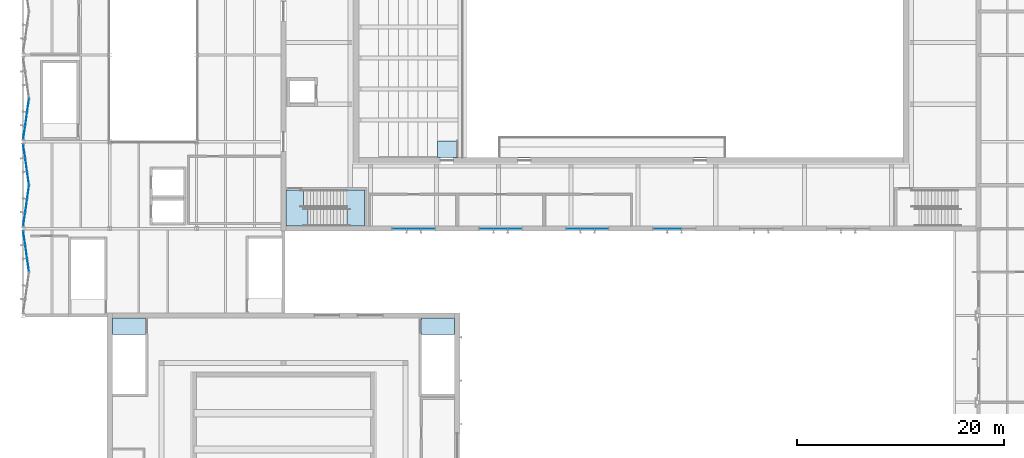
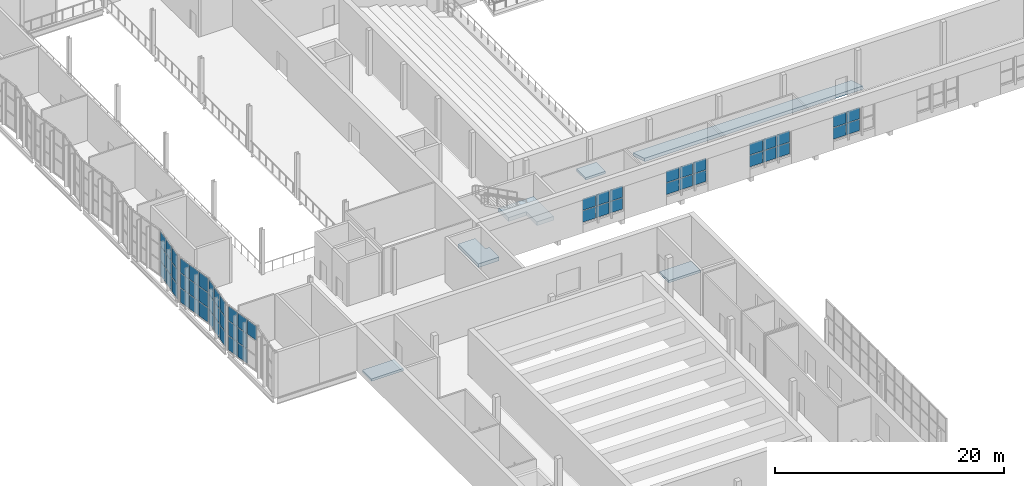
# One storey, part 57 of 116: 56 plates, 6 slabs, 9 elements without a shape of their own.
"""IFC4 building model written with IfcOpenShell, lengths in metres."""

from ifc_helpers import new_model, si_unit, direction, frame, origin, origin_2d, place, context, subcontext, project, spatial, polyline, rectangle, outline, extrude, material, layer, layer_set, type_object, element, aggregate, save


model = new_model("IFC4")

# Units and contexts
model_context = context("Model", 3, precision=1e-05, world=origin(), true_north=direction((0.0, 1.0)))
body_context = subcontext(model_context, "Body", "Model", "MODEL_VIEW")
ifc_project = project(units=[si_unit("LENGTHUNIT", "METRE"), si_unit("AREAUNIT", "SQUARE_METRE"), si_unit("VOLUMEUNIT", "CUBIC_METRE"), si_unit("PLANEANGLEUNIT", "RADIAN"), si_unit("MASSUNIT", "GRAM", prefix="KILO")], contexts=[model_context])

# Site, building, storey
site_placement = place(None, origin())
site = spatial("IfcSite", under=ifc_project, at=site_placement, CompositionType="ELEMENT")
building_placement = place(site_placement, origin())
building = spatial("IfcBuilding", under=site, at=building_placement, Name="Ljudholm Concert House", CompositionType="ELEMENT")
storey_placement = place(building_placement, frame((0.0, 0.0, 10.199951171875)))
storey = spatial("IfcBuildingStorey", under=building, at=storey_placement, Name="L02", CompositionType="ELEMENT", Elevation=10.199951171875)

# Curtain wall, plates
ifc_material_1 = material(Name="Aluminium curtain wall with impact-rated laminated glass", Category="aluminium")
curtain_wall_type = type_object("IfcCurtainWallType", Name="CURTAIN WALL 1400", PredefinedType="NOTDEFINED", material=ifc_material_1)
curtain_wall_1_placement = place(storey_placement, origin())
curtain_wall_1 = element("IfcCurtainWall", 1, at=curtain_wall_1_placement, inside=storey, type_object=curtain_wall_type, Name="Promenade curtain wall", PredefinedType="NOTDEFINED")
ifc_material_2 = material(Name="Impact-rated laminated glass", Category="glass")
ifc_layer_1 = layer(ifc_material_2, 0.028076171875)
ifc_layer_set_1 = layer_set([ifc_layer_1], Name="Impact-rated laminated glass")
plate_type = type_object("IfcPlateType", Name="CURTAIN PANEL 28", PredefinedType="CURTAIN_PANEL", material=ifc_layer_set_1)
plate_1_placement = place(storey_placement, frame((40.43505859375, 54.39990234375, 0.9599609375), z_axis=(0.0, 0.0, 1.0), x_axis=(1.0, 0.0, 0.0)))
plate_1 = element("IfcPlate", 2, at=plate_1_placement, type_object=plate_type, Name="Curtain wall panel", PredefinedType="CURTAIN_PANEL", context=body_context, shape_type="SweptSolid", body=[
    extrude(rectangle(XDim=1.2900390625, YDim=0.028076171875, at=origin_2d()), origin(), (0.0, 0.0, 1.0), 1.2099609375),
])
plate_2_placement = place(storey_placement, frame((40.43505859375, 54.39990234375, 2.22998046875), z_axis=(0.0, 0.0, 1.0), x_axis=(1.0, 0.0, 0.0)))
plate_2 = element("IfcPlate", 3, at=plate_2_placement, type_object=plate_type, Name="Curtain wall panel", PredefinedType="CURTAIN_PANEL", context=body_context, shape_type="SweptSolid", body=[
    extrude(rectangle(XDim=1.2900390625, YDim=0.028076171875, at=origin_2d()), origin(), (0.0, 0.0, 1.0), 1.2099609375),
])
plate_3_placement = place(storey_placement, frame((41.800048828125, 54.39990234375, 0.9599609375), z_axis=(0.0, 0.0, 1.0), x_axis=(1.0, 0.0, 0.0)))
plate_3 = element("IfcPlate", 4, at=plate_3_placement, type_object=plate_type, Name="Curtain wall panel", PredefinedType="CURTAIN_PANEL", context=body_context, shape_type="SweptSolid", body=[
    extrude(rectangle(XDim=1.320068359375, YDim=0.028076171875, at=origin_2d()), origin(), (0.0, 0.0, 1.0), 1.2099609375),
])
plate_4_placement = place(storey_placement, frame((41.800048828125, 54.39990234375, 2.22998046875), z_axis=(0.0, 0.0, 1.0), x_axis=(1.0, 0.0, 0.0)))
plate_4 = element("IfcPlate", 5, at=plate_4_placement, type_object=plate_type, Name="Curtain wall panel", PredefinedType="CURTAIN_PANEL", context=body_context, shape_type="SweptSolid", body=[
    extrude(rectangle(XDim=1.320068359375, YDim=0.028076171875, at=origin_2d()), origin(), (0.0, 0.0, 1.0), 1.2099609375),
])
plate_5_placement = place(storey_placement, frame((43.1650390625, 54.39990234375, 0.9599609375), z_axis=(0.0, 0.0, 1.0), x_axis=(1.0, 0.0, 0.0)))
plate_5 = element("IfcPlate", 6, at=plate_5_placement, type_object=plate_type, Name="Curtain wall panel", PredefinedType="CURTAIN_PANEL", context=body_context, shape_type="SweptSolid", body=[
    extrude(rectangle(XDim=1.2900390625, YDim=0.028076171875, at=origin_2d()), origin(), (0.0, 0.0, 1.0), 1.2099609375),
])
plate_6_placement = place(storey_placement, frame((43.1650390625, 54.39990234375, 2.22998046875), z_axis=(0.0, 0.0, 1.0), x_axis=(1.0, 0.0, 0.0)))
plate_6 = element("IfcPlate", 7, at=plate_6_placement, type_object=plate_type, Name="Curtain wall panel", PredefinedType="CURTAIN_PANEL", context=body_context, shape_type="SweptSolid", body=[
    extrude(rectangle(XDim=1.2900390625, YDim=0.028076171875, at=origin_2d()), origin(), (0.0, 0.0, 1.0), 1.2099609375),
])
aggregate(curtain_wall_1, [plate_1, plate_2, plate_3, plate_4, plate_5, plate_6])

curtain_wall_2_placement = place(storey_placement, origin())
curtain_wall_2 = element("IfcCurtainWall", 8, at=curtain_wall_2_placement, inside=storey, type_object=curtain_wall_type, Name="Promenade curtain wall", PredefinedType="NOTDEFINED")
plate_7_placement = place(storey_placement, frame((48.8349609375, 54.39990234375, 0.9599609375), z_axis=(0.0, 0.0, 1.0), x_axis=(1.0, 0.0, 0.0)))
plate_7 = element("IfcPlate", 9, at=plate_7_placement, type_object=plate_type, Name="Curtain wall panel", PredefinedType="CURTAIN_PANEL", context=body_context, shape_type="SweptSolid", body=[
    extrude(rectangle(XDim=1.2900390625, YDim=0.028076171875, at=origin_2d()), origin(), (0.0, 0.0, 1.0), 1.2099609375),
])
plate_8_placement = place(storey_placement, frame((48.8349609375, 54.39990234375, 2.22998046875), z_axis=(0.0, 0.0, 1.0), x_axis=(1.0, 0.0, 0.0)))
plate_8 = element("IfcPlate", 10, at=plate_8_placement, type_object=plate_type, Name="Curtain wall panel", PredefinedType="CURTAIN_PANEL", context=body_context, shape_type="SweptSolid", body=[
    extrude(rectangle(XDim=1.2900390625, YDim=0.028076171875, at=origin_2d()), origin(), (0.0, 0.0, 1.0), 1.2099609375),
])
plate_9_placement = place(storey_placement, frame((50.199951171875, 54.39990234375, 0.9599609375), z_axis=(0.0, 0.0, 1.0), x_axis=(1.0, 0.0, 0.0)))
plate_9 = element("IfcPlate", 11, at=plate_9_placement, type_object=plate_type, Name="Curtain wall panel", PredefinedType="CURTAIN_PANEL", context=body_context, shape_type="SweptSolid", body=[
    extrude(rectangle(XDim=1.320068359375, YDim=0.028076171875, at=origin_2d()), origin(), (0.0, 0.0, 1.0), 1.2099609375),
])
plate_10_placement = place(storey_placement, frame((50.199951171875, 54.39990234375, 2.22998046875), z_axis=(0.0, 0.0, 1.0), x_axis=(1.0, 0.0, 0.0)))
plate_10 = element("IfcPlate", 12, at=plate_10_placement, type_object=plate_type, Name="Curtain wall panel", PredefinedType="CURTAIN_PANEL", context=body_context, shape_type="SweptSolid", body=[
    extrude(rectangle(XDim=1.320068359375, YDim=0.028076171875, at=origin_2d()), origin(), (0.0, 0.0, 1.0), 1.2099609375),
])
plate_11_placement = place(storey_placement, frame((51.56494140625, 54.39990234375, 0.9599609375), z_axis=(0.0, 0.0, 1.0), x_axis=(1.0, 0.0, 0.0)))
plate_11 = element("IfcPlate", 13, at=plate_11_placement, type_object=plate_type, Name="Curtain wall panel", PredefinedType="CURTAIN_PANEL", context=body_context, shape_type="SweptSolid", body=[
    extrude(rectangle(XDim=1.2900390625, YDim=0.028076171875, at=origin_2d()), origin(), (0.0, 0.0, 1.0), 1.2099609375),
])
plate_12_placement = place(storey_placement, frame((51.56494140625, 54.39990234375, 2.22998046875), z_axis=(0.0, 0.0, 1.0), x_axis=(1.0, 0.0, 0.0)))
plate_12 = element("IfcPlate", 14, at=plate_12_placement, type_object=plate_type, Name="Curtain wall panel", PredefinedType="CURTAIN_PANEL", context=body_context, shape_type="SweptSolid", body=[
    extrude(rectangle(XDim=1.2900390625, YDim=0.028076171875, at=origin_2d()), origin(), (0.0, 0.0, 1.0), 1.2099609375),
])
aggregate(curtain_wall_2, [plate_7, plate_8, plate_9, plate_10, plate_11, plate_12])

curtain_wall_3_placement = place(storey_placement, origin())
curtain_wall_3 = element("IfcCurtainWall", 15, at=curtain_wall_3_placement, inside=storey, type_object=curtain_wall_type, Name="Promenade curtain wall", PredefinedType="NOTDEFINED")
plate_13_placement = place(storey_placement, frame((57.235107421875, 54.39990234375, 0.9599609375), z_axis=(0.0, 0.0, 1.0), x_axis=(1.0, 0.0, 0.0)))
plate_13 = element("IfcPlate", 16, at=plate_13_placement, type_object=plate_type, Name="Curtain wall panel", PredefinedType="CURTAIN_PANEL", context=body_context, shape_type="SweptSolid", body=[
    extrude(rectangle(XDim=1.2900390625, YDim=0.028076171875, at=origin_2d()), origin(), (0.0, 0.0, 1.0), 1.2099609375),
])
plate_14_placement = place(storey_placement, frame((57.235107421875, 54.39990234375, 2.22998046875), z_axis=(0.0, 0.0, 1.0), x_axis=(1.0, 0.0, 0.0)))
plate_14 = element("IfcPlate", 17, at=plate_14_placement, type_object=plate_type, Name="Curtain wall panel", PredefinedType="CURTAIN_PANEL", context=body_context, shape_type="SweptSolid", body=[
    extrude(rectangle(XDim=1.2900390625, YDim=0.028076171875, at=origin_2d()), origin(), (0.0, 0.0, 1.0), 1.2099609375),
])
plate_15_placement = place(storey_placement, frame((58.60009765625, 54.39990234375, 0.9599609375), z_axis=(0.0, 0.0, 1.0), x_axis=(1.0, 0.0, 0.0)))
plate_15 = element("IfcPlate", 18, at=plate_15_placement, type_object=plate_type, Name="Curtain wall panel", PredefinedType="CURTAIN_PANEL", context=body_context, shape_type="SweptSolid", body=[
    extrude(rectangle(XDim=1.320068359375, YDim=0.028076171875, at=origin_2d()), origin(), (0.0, 0.0, 1.0), 1.2099609375),
])
plate_16_placement = place(storey_placement, frame((58.60009765625, 54.39990234375, 2.22998046875), z_axis=(0.0, 0.0, 1.0), x_axis=(1.0, 0.0, 0.0)))
plate_16 = element("IfcPlate", 19, at=plate_16_placement, type_object=plate_type, Name="Curtain wall panel", PredefinedType="CURTAIN_PANEL", context=body_context, shape_type="SweptSolid", body=[
    extrude(rectangle(XDim=1.320068359375, YDim=0.028076171875, at=origin_2d()), origin(), (0.0, 0.0, 1.0), 1.2099609375),
])
plate_17_placement = place(storey_placement, frame((59.965087890625, 54.39990234375, 0.9599609375), z_axis=(0.0, 0.0, 1.0), x_axis=(1.0, 0.0, 0.0)))
plate_17 = element("IfcPlate", 20, at=plate_17_placement, type_object=plate_type, Name="Curtain wall panel", PredefinedType="CURTAIN_PANEL", context=body_context, shape_type="SweptSolid", body=[
    extrude(rectangle(XDim=1.2900390625, YDim=0.028076171875, at=origin_2d()), origin(), (0.0, 0.0, 1.0), 1.2099609375),
])
plate_18_placement = place(storey_placement, frame((59.965087890625, 54.39990234375, 2.22998046875), z_axis=(0.0, 0.0, 1.0), x_axis=(1.0, 0.0, 0.0)))
plate_18 = element("IfcPlate", 21, at=plate_18_placement, type_object=plate_type, Name="Curtain wall panel", PredefinedType="CURTAIN_PANEL", context=body_context, shape_type="SweptSolid", body=[
    extrude(rectangle(XDim=1.2900390625, YDim=0.028076171875, at=origin_2d()), origin(), (0.0, 0.0, 1.0), 1.2099609375),
])
aggregate(curtain_wall_3, [plate_13, plate_14, plate_15, plate_16, plate_17, plate_18])

curtain_wall_4_placement = place(storey_placement, origin())
curtain_wall_4 = element("IfcCurtainWall", 22, at=curtain_wall_4_placement, inside=storey, type_object=curtain_wall_type, Name="Promenade curtain wall", PredefinedType="NOTDEFINED")
plate_19_placement = place(storey_placement, frame((65.635009765625, 54.39990234375, 0.9599609375), z_axis=(0.0, 0.0, 1.0), x_axis=(1.0, 0.0, 0.0)))
plate_19 = element("IfcPlate", 23, at=plate_19_placement, type_object=plate_type, Name="Curtain wall panel", PredefinedType="CURTAIN_PANEL", context=body_context, shape_type="SweptSolid", body=[
    extrude(rectangle(XDim=1.2900390625, YDim=0.028076171875, at=origin_2d()), origin(), (0.0, 0.0, 1.0), 1.2099609375),
])
plate_20_placement = place(storey_placement, frame((65.635009765625, 54.39990234375, 2.22998046875), z_axis=(0.0, 0.0, 1.0), x_axis=(1.0, 0.0, 0.0)))
plate_20 = element("IfcPlate", 24, at=plate_20_placement, type_object=plate_type, Name="Curtain wall panel", PredefinedType="CURTAIN_PANEL", context=body_context, shape_type="SweptSolid", body=[
    extrude(rectangle(XDim=1.2900390625, YDim=0.028076171875, at=origin_2d()), origin(), (0.0, 0.0, 1.0), 1.2099609375),
])
plate_21_placement = place(storey_placement, frame((67.0, 54.39990234375, 0.9599609375), z_axis=(0.0, 0.0, 1.0), x_axis=(1.0, 0.0, 0.0)))
plate_21 = element("IfcPlate", 25, at=plate_21_placement, type_object=plate_type, Name="Curtain wall panel", PredefinedType="CURTAIN_PANEL", context=body_context, shape_type="SweptSolid", body=[
    extrude(rectangle(XDim=1.320068359375, YDim=0.028076171875, at=origin_2d()), origin(), (0.0, 0.0, 1.0), 1.2099609375),
])
plate_22_placement = place(storey_placement, frame((67.0, 54.39990234375, 2.22998046875), z_axis=(0.0, 0.0, 1.0), x_axis=(1.0, 0.0, 0.0)))
plate_22 = element("IfcPlate", 26, at=plate_22_placement, type_object=plate_type, Name="Curtain wall panel", PredefinedType="CURTAIN_PANEL", context=body_context, shape_type="SweptSolid", body=[
    extrude(rectangle(XDim=1.320068359375, YDim=0.028076171875, at=origin_2d()), origin(), (0.0, 0.0, 1.0), 1.2099609375),
])
aggregate(curtain_wall_4, [plate_19, plate_20, plate_21, plate_22])

curtain_wall_5_placement = place(storey_placement, origin())
curtain_wall_5 = element("IfcCurtainWall", 27, at=curtain_wall_5_placement, inside=storey, type_object=curtain_wall_type, Name="Facade curtain wall", PredefinedType="NOTDEFINED")
plate_23_placement = place(storey_placement, frame((4.503173828125, 50.878662109375, 3.22998046875), z_axis=(0.0, 0.0, 1.0), x_axis=(-0.141421356338, 0.989949493647, 0.0)))
plate_23 = element("IfcPlate", 28, at=plate_23_placement, type_object=plate_type, Name="Curtain wall panel", PredefinedType="CURTAIN_PANEL", context=body_context, shape_type="SweptSolid", body=[
    extrude(rectangle(XDim=1.2509765625, YDim=0.028076171875, at=origin_2d()), origin(), (0.0, 0.0, 1.0), 1.510009765625),
])
plate_24_placement = place(storey_placement, frame((4.315673828125, 52.191162109375, 0.06005859375), z_axis=(0.0, 0.0, 1.0), x_axis=(-0.141421356338, 0.989949493647, 0.0)))
plate_24 = element("IfcPlate", 29, at=plate_24_placement, type_object=plate_type, Name="Curtain wall panel", PredefinedType="CURTAIN_PANEL", context=body_context, shape_type="SweptSolid", body=[
    extrude(rectangle(XDim=1.28076171875, YDim=0.028076171875, at=origin_2d()), origin(), (0.0, 0.0, 1.0), 1.510009765625),
])
plate_25_placement = place(storey_placement, frame((4.315673828125, 52.191162109375, 1.630126953125), z_axis=(0.0, 0.0, 1.0), x_axis=(-0.141421356338, 0.989949493647, 0.0)))
plate_25 = element("IfcPlate", 30, at=plate_25_placement, type_object=plate_type, Name="Curtain wall panel", PredefinedType="CURTAIN_PANEL", context=body_context, shape_type="SweptSolid", body=[
    extrude(rectangle(XDim=1.28076171875, YDim=0.028076171875, at=origin_2d()), origin(), (0.0, 0.0, 1.0), 1.5400390625),
])
plate_26_placement = place(storey_placement, frame((4.315673828125, 52.191162109375, 3.22998046875), z_axis=(0.0, 0.0, 1.0), x_axis=(-0.141421356338, 0.989949493647, 0.0)))
plate_26 = element("IfcPlate", 31, at=plate_26_placement, type_object=plate_type, Name="Curtain wall panel", PredefinedType="CURTAIN_PANEL", context=body_context, shape_type="SweptSolid", body=[
    extrude(rectangle(XDim=1.28076171875, YDim=0.028076171875, at=origin_2d()), origin(), (0.0, 0.0, 1.0), 1.510009765625),
])
plate_27_placement = place(storey_placement, frame((4.1279296875, 53.503662109375, 0.06005859375), z_axis=(0.0, 0.0, 1.0), x_axis=(-0.141421356338, 0.989949493647, 0.0)))
plate_27 = element("IfcPlate", 32, at=plate_27_placement, type_object=plate_type, Name="Curtain wall panel", PredefinedType="CURTAIN_PANEL", context=body_context, shape_type="SweptSolid", body=[
    extrude(rectangle(XDim=1.2509765625, YDim=0.028076171875, at=origin_2d()), origin(), (0.0, 0.0, 1.0), 1.510009765625),
])
plate_28_placement = place(storey_placement, frame((4.1279296875, 53.503662109375, 1.630126953125), z_axis=(0.0, 0.0, 1.0), x_axis=(-0.141421356338, 0.989949493647, 0.0)))
plate_28 = element("IfcPlate", 33, at=plate_28_placement, type_object=plate_type, Name="Curtain wall panel", PredefinedType="CURTAIN_PANEL", context=body_context, shape_type="SweptSolid", body=[
    extrude(rectangle(XDim=1.2509765625, YDim=0.028076171875, at=origin_2d()), origin(), (0.0, 0.0, 1.0), 1.5400390625),
])
plate_29_placement = place(storey_placement, frame((4.1279296875, 53.503662109375, 3.22998046875), z_axis=(0.0, 0.0, 1.0), x_axis=(-0.141421356338, 0.989949493647, 0.0)))
plate_29 = element("IfcPlate", 34, at=plate_29_placement, type_object=plate_type, Name="Curtain wall panel", PredefinedType="CURTAIN_PANEL", context=body_context, shape_type="SweptSolid", body=[
    extrude(rectangle(XDim=1.2509765625, YDim=0.028076171875, at=origin_2d()), origin(), (0.0, 0.0, 1.0), 1.510009765625),
])
aggregate(curtain_wall_5, [plate_23, plate_24, plate_25, plate_26, plate_27, plate_28, plate_29])

curtain_wall_6_placement = place(storey_placement, origin())
curtain_wall_6 = element("IfcCurtainWall", 35, at=curtain_wall_6_placement, inside=storey, type_object=curtain_wall_type, Name="Facade curtain wall", PredefinedType="NOTDEFINED")
plate_30_placement = place(storey_placement, frame((4.1279296875, 55.29638671875, 0.06005859375), z_axis=(0.0, 0.0, 1.0), x_axis=(0.141421356338, 0.989949493647, 0.0)))
plate_30 = element("IfcPlate", 36, at=plate_30_placement, type_object=plate_type, Name="Curtain wall panel", PredefinedType="CURTAIN_PANEL", context=body_context, shape_type="SweptSolid", body=[
    extrude(rectangle(XDim=1.2509765625, YDim=0.028076171875, at=origin_2d()), origin(), (0.0, 0.0, 1.0), 1.510009765625),
])
plate_31_placement = place(storey_placement, frame((4.1279296875, 55.29638671875, 1.630126953125), z_axis=(0.0, 0.0, 1.0), x_axis=(0.141421356338, 0.989949493647, 0.0)))
plate_31 = element("IfcPlate", 37, at=plate_31_placement, type_object=plate_type, Name="Curtain wall panel", PredefinedType="CURTAIN_PANEL", context=body_context, shape_type="SweptSolid", body=[
    extrude(rectangle(XDim=1.2509765625, YDim=0.028076171875, at=origin_2d()), origin(), (0.0, 0.0, 1.0), 1.5400390625),
])
plate_32_placement = place(storey_placement, frame((4.1279296875, 55.29638671875, 3.22998046875), z_axis=(0.0, 0.0, 1.0), x_axis=(0.141421356338, 0.989949493647, 0.0)))
plate_32 = element("IfcPlate", 38, at=plate_32_placement, type_object=plate_type, Name="Curtain wall panel", PredefinedType="CURTAIN_PANEL", context=body_context, shape_type="SweptSolid", body=[
    extrude(rectangle(XDim=1.2509765625, YDim=0.028076171875, at=origin_2d()), origin(), (0.0, 0.0, 1.0), 1.510009765625),
])
plate_33_placement = place(storey_placement, frame((4.315673828125, 56.60888671875, 0.06005859375), z_axis=(0.0, 0.0, 1.0), x_axis=(0.141421356338, 0.989949493647, 0.0)))
plate_33 = element("IfcPlate", 39, at=plate_33_placement, type_object=plate_type, Name="Curtain wall panel", PredefinedType="CURTAIN_PANEL", context=body_context, shape_type="SweptSolid", body=[
    extrude(rectangle(XDim=1.28076171875, YDim=0.028076171875, at=origin_2d()), origin(), (0.0, 0.0, 1.0), 1.510009765625),
])
plate_34_placement = place(storey_placement, frame((4.315673828125, 56.60888671875, 1.630126953125), z_axis=(0.0, 0.0, 1.0), x_axis=(0.141421356338, 0.989949493647, 0.0)))
plate_34 = element("IfcPlate", 40, at=plate_34_placement, type_object=plate_type, Name="Curtain wall panel", PredefinedType="CURTAIN_PANEL", context=body_context, shape_type="SweptSolid", body=[
    extrude(rectangle(XDim=1.28076171875, YDim=0.028076171875, at=origin_2d()), origin(), (0.0, 0.0, 1.0), 1.5400390625),
])
plate_35_placement = place(storey_placement, frame((4.315673828125, 56.60888671875, 3.22998046875), z_axis=(0.0, 0.0, 1.0), x_axis=(0.141421356338, 0.989949493647, 0.0)))
plate_35 = element("IfcPlate", 41, at=plate_35_placement, type_object=plate_type, Name="Curtain wall panel", PredefinedType="CURTAIN_PANEL", context=body_context, shape_type="SweptSolid", body=[
    extrude(rectangle(XDim=1.28076171875, YDim=0.028076171875, at=origin_2d()), origin(), (0.0, 0.0, 1.0), 1.510009765625),
])
plate_36_placement = place(storey_placement, frame((4.503173828125, 57.92138671875, 0.06005859375), z_axis=(0.0, 0.0, 1.0), x_axis=(0.141421356338, 0.989949493647, 0.0)))
plate_36 = element("IfcPlate", 42, at=plate_36_placement, type_object=plate_type, Name="Curtain wall panel", PredefinedType="CURTAIN_PANEL", context=body_context, shape_type="SweptSolid", body=[
    extrude(rectangle(XDim=1.2509765625, YDim=0.028076171875, at=origin_2d()), origin(), (0.0, 0.0, 1.0), 1.510009765625),
])
plate_37_placement = place(storey_placement, frame((4.503173828125, 57.92138671875, 1.630126953125), z_axis=(0.0, 0.0, 1.0), x_axis=(0.141421356338, 0.989949493647, 0.0)))
plate_37 = element("IfcPlate", 43, at=plate_37_placement, type_object=plate_type, Name="Curtain wall panel", PredefinedType="CURTAIN_PANEL", context=body_context, shape_type="SweptSolid", body=[
    extrude(rectangle(XDim=1.2509765625, YDim=0.028076171875, at=origin_2d()), origin(), (0.0, 0.0, 1.0), 1.5400390625),
])
plate_38_placement = place(storey_placement, frame((4.503173828125, 57.92138671875, 3.22998046875), z_axis=(0.0, 0.0, 1.0), x_axis=(0.141421356338, 0.989949493647, 0.0)))
plate_38 = element("IfcPlate", 44, at=plate_38_placement, type_object=plate_type, Name="Curtain wall panel", PredefinedType="CURTAIN_PANEL", context=body_context, shape_type="SweptSolid", body=[
    extrude(rectangle(XDim=1.2509765625, YDim=0.028076171875, at=origin_2d()), origin(), (0.0, 0.0, 1.0), 1.510009765625),
])
aggregate(curtain_wall_6, [plate_30, plate_31, plate_32, plate_33, plate_34, plate_35, plate_36, plate_37, plate_38])

curtain_wall_7_placement = place(storey_placement, origin())
curtain_wall_7 = element("IfcCurtainWall", 45, at=curtain_wall_7_placement, inside=storey, type_object=curtain_wall_type, Name="Facade curtain wall", PredefinedType="NOTDEFINED")
plate_39_placement = place(storey_placement, frame((4.503173828125, 59.278564453125, 0.06005859375), z_axis=(0.0, 0.0, 1.0), x_axis=(-0.141421356338, 0.989949493647, 0.0)))
plate_39 = element("IfcPlate", 46, at=plate_39_placement, type_object=plate_type, Name="Curtain wall panel", PredefinedType="CURTAIN_PANEL", context=body_context, shape_type="SweptSolid", body=[
    extrude(rectangle(XDim=1.2509765625, YDim=0.028076171875, at=origin_2d()), origin(), (0.0, 0.0, 1.0), 1.510009765625),
])
plate_40_placement = place(storey_placement, frame((4.503173828125, 59.278564453125, 1.630126953125), z_axis=(0.0, 0.0, 1.0), x_axis=(-0.141421356338, 0.989949493647, 0.0)))
plate_40 = element("IfcPlate", 47, at=plate_40_placement, type_object=plate_type, Name="Curtain wall panel", PredefinedType="CURTAIN_PANEL", context=body_context, shape_type="SweptSolid", body=[
    extrude(rectangle(XDim=1.2509765625, YDim=0.028076171875, at=origin_2d()), origin(), (0.0, 0.0, 1.0), 1.5400390625),
])
plate_41_placement = place(storey_placement, frame((4.503173828125, 59.278564453125, 3.22998046875), z_axis=(0.0, 0.0, 1.0), x_axis=(-0.141421356338, 0.989949493647, 0.0)))
plate_41 = element("IfcPlate", 48, at=plate_41_placement, type_object=plate_type, Name="Curtain wall panel", PredefinedType="CURTAIN_PANEL", context=body_context, shape_type="SweptSolid", body=[
    extrude(rectangle(XDim=1.2509765625, YDim=0.028076171875, at=origin_2d()), origin(), (0.0, 0.0, 1.0), 1.510009765625),
])
plate_42_placement = place(storey_placement, frame((4.315673828125, 60.591064453125, 0.06005859375), z_axis=(0.0, 0.0, 1.0), x_axis=(-0.141421356338, 0.989949493647, 0.0)))
plate_42 = element("IfcPlate", 49, at=plate_42_placement, type_object=plate_type, Name="Curtain wall panel", PredefinedType="CURTAIN_PANEL", context=body_context, shape_type="SweptSolid", body=[
    extrude(rectangle(XDim=1.28076171875, YDim=0.028076171875, at=origin_2d()), origin(), (0.0, 0.0, 1.0), 1.510009765625),
])
plate_43_placement = place(storey_placement, frame((4.315673828125, 60.591064453125, 1.630126953125), z_axis=(0.0, 0.0, 1.0), x_axis=(-0.141421356338, 0.989949493647, 0.0)))
plate_43 = element("IfcPlate", 50, at=plate_43_placement, type_object=plate_type, Name="Curtain wall panel", PredefinedType="CURTAIN_PANEL", context=body_context, shape_type="SweptSolid", body=[
    extrude(rectangle(XDim=1.28076171875, YDim=0.028076171875, at=origin_2d()), origin(), (0.0, 0.0, 1.0), 1.5400390625),
])
plate_44_placement = place(storey_placement, frame((4.315673828125, 60.591064453125, 3.22998046875), z_axis=(0.0, 0.0, 1.0), x_axis=(-0.141421356338, 0.989949493647, 0.0)))
plate_44 = element("IfcPlate", 51, at=plate_44_placement, type_object=plate_type, Name="Curtain wall panel", PredefinedType="CURTAIN_PANEL", context=body_context, shape_type="SweptSolid", body=[
    extrude(rectangle(XDim=1.28076171875, YDim=0.028076171875, at=origin_2d()), origin(), (0.0, 0.0, 1.0), 1.510009765625),
])
plate_45_placement = place(storey_placement, frame((4.1279296875, 61.903564453125, 0.06005859375), z_axis=(0.0, 0.0, 1.0), x_axis=(-0.141421356338, 0.989949493647, 0.0)))
plate_45 = element("IfcPlate", 52, at=plate_45_placement, type_object=plate_type, Name="Curtain wall panel", PredefinedType="CURTAIN_PANEL", context=body_context, shape_type="SweptSolid", body=[
    extrude(rectangle(XDim=1.2509765625, YDim=0.028076171875, at=origin_2d()), origin(), (0.0, 0.0, 1.0), 1.510009765625),
])
plate_46_placement = place(storey_placement, frame((4.1279296875, 61.903564453125, 1.630126953125), z_axis=(0.0, 0.0, 1.0), x_axis=(-0.141421356338, 0.989949493647, 0.0)))
plate_46 = element("IfcPlate", 53, at=plate_46_placement, type_object=plate_type, Name="Curtain wall panel", PredefinedType="CURTAIN_PANEL", context=body_context, shape_type="SweptSolid", body=[
    extrude(rectangle(XDim=1.2509765625, YDim=0.028076171875, at=origin_2d()), origin(), (0.0, 0.0, 1.0), 1.5400390625),
])
plate_47_placement = place(storey_placement, frame((4.1279296875, 61.903564453125, 3.22998046875), z_axis=(0.0, 0.0, 1.0), x_axis=(-0.141421356338, 0.989949493647, 0.0)))
plate_47 = element("IfcPlate", 54, at=plate_47_placement, type_object=plate_type, Name="Curtain wall panel", PredefinedType="CURTAIN_PANEL", context=body_context, shape_type="SweptSolid", body=[
    extrude(rectangle(XDim=1.2509765625, YDim=0.028076171875, at=origin_2d()), origin(), (0.0, 0.0, 1.0), 1.510009765625),
])
aggregate(curtain_wall_7, [plate_39, plate_40, plate_41, plate_42, plate_43, plate_44, plate_45, plate_46, plate_47])

curtain_wall_8_placement = place(storey_placement, origin())
curtain_wall_8 = element("IfcCurtainWall", 55, at=curtain_wall_8_placement, inside=storey, type_object=curtain_wall_type, Name="Facade curtain wall", PredefinedType="NOTDEFINED")
plate_48_placement = place(storey_placement, frame((4.1279296875, 63.6962890625, 0.06005859375), z_axis=(0.0, 0.0, 1.0), x_axis=(0.141421356338, 0.989949493647, 0.0)))
plate_48 = element("IfcPlate", 56, at=plate_48_placement, type_object=plate_type, Name="Curtain wall panel", PredefinedType="CURTAIN_PANEL", context=body_context, shape_type="SweptSolid", body=[
    extrude(rectangle(XDim=1.2509765625, YDim=0.028076171875, at=origin_2d()), origin(), (0.0, 0.0, 1.0), 1.510009765625),
])
plate_49_placement = place(storey_placement, frame((4.1279296875, 63.6962890625, 1.630126953125), z_axis=(0.0, 0.0, 1.0), x_axis=(0.141421356338, 0.989949493647, 0.0)))
plate_49 = element("IfcPlate", 57, at=plate_49_placement, type_object=plate_type, Name="Curtain wall panel", PredefinedType="CURTAIN_PANEL", context=body_context, shape_type="SweptSolid", body=[
    extrude(rectangle(XDim=1.2509765625, YDim=0.028076171875, at=origin_2d()), origin(), (0.0, 0.0, 1.0), 1.5400390625),
])
plate_50_placement = place(storey_placement, frame((4.1279296875, 63.6962890625, 3.22998046875), z_axis=(0.0, 0.0, 1.0), x_axis=(0.141421356338, 0.989949493647, 0.0)))
plate_50 = element("IfcPlate", 58, at=plate_50_placement, type_object=plate_type, Name="Curtain wall panel", PredefinedType="CURTAIN_PANEL", context=body_context, shape_type="SweptSolid", body=[
    extrude(rectangle(XDim=1.2509765625, YDim=0.028076171875, at=origin_2d()), origin(), (0.0, 0.0, 1.0), 1.510009765625),
])
plate_51_placement = place(storey_placement, frame((4.315673828125, 65.0087890625, 0.06005859375), z_axis=(0.0, 0.0, 1.0), x_axis=(0.141421356338, 0.989949493647, 0.0)))
plate_51 = element("IfcPlate", 59, at=plate_51_placement, type_object=plate_type, Name="Curtain wall panel", PredefinedType="CURTAIN_PANEL", context=body_context, shape_type="SweptSolid", body=[
    extrude(rectangle(XDim=1.28076171875, YDim=0.028076171875, at=origin_2d()), origin(), (0.0, 0.0, 1.0), 1.510009765625),
])
plate_52_placement = place(storey_placement, frame((4.315673828125, 65.0087890625, 1.630126953125), z_axis=(0.0, 0.0, 1.0), x_axis=(0.141421356338, 0.989949493647, 0.0)))
plate_52 = element("IfcPlate", 60, at=plate_52_placement, type_object=plate_type, Name="Curtain wall panel", PredefinedType="CURTAIN_PANEL", context=body_context, shape_type="SweptSolid", body=[
    extrude(rectangle(XDim=1.28076171875, YDim=0.028076171875, at=origin_2d()), origin(), (0.0, 0.0, 1.0), 1.5400390625),
])
plate_53_placement = place(storey_placement, frame((4.315673828125, 65.0087890625, 3.22998046875), z_axis=(0.0, 0.0, 1.0), x_axis=(0.141421356338, 0.989949493647, 0.0)))
plate_53 = element("IfcPlate", 61, at=plate_53_placement, type_object=plate_type, Name="Curtain wall panel", PredefinedType="CURTAIN_PANEL", context=body_context, shape_type="SweptSolid", body=[
    extrude(rectangle(XDim=1.28076171875, YDim=0.028076171875, at=origin_2d()), origin(), (0.0, 0.0, 1.0), 1.510009765625),
])
plate_54_placement = place(storey_placement, frame((4.503173828125, 66.321533203125, 0.06005859375), z_axis=(0.0, 0.0, 1.0), x_axis=(0.141421356338, 0.989949493647, 0.0)))
plate_54 = element("IfcPlate", 62, at=plate_54_placement, type_object=plate_type, Name="Curtain wall panel", PredefinedType="CURTAIN_PANEL", context=body_context, shape_type="SweptSolid", body=[
    extrude(rectangle(XDim=1.2509765625, YDim=0.028076171875, at=origin_2d()), origin(), (0.0, 0.0, 1.0), 1.510009765625),
])
plate_55_placement = place(storey_placement, frame((4.503173828125, 66.321533203125, 1.630126953125), z_axis=(0.0, 0.0, 1.0), x_axis=(0.141421356338, 0.989949493647, 0.0)))
plate_55 = element("IfcPlate", 63, at=plate_55_placement, type_object=plate_type, Name="Curtain wall panel", PredefinedType="CURTAIN_PANEL", context=body_context, shape_type="SweptSolid", body=[
    extrude(rectangle(XDim=1.2509765625, YDim=0.028076171875, at=origin_2d()), origin(), (0.0, 0.0, 1.0), 1.5400390625),
])
plate_56_placement = place(storey_placement, frame((4.503173828125, 66.321533203125, 3.22998046875), z_axis=(0.0, 0.0, 1.0), x_axis=(0.141421356338, 0.989949493647, 0.0)))
plate_56 = element("IfcPlate", 64, at=plate_56_placement, type_object=plate_type, Name="Curtain wall panel", PredefinedType="CURTAIN_PANEL", context=body_context, shape_type="SweptSolid", body=[
    extrude(rectangle(XDim=1.2509765625, YDim=0.028076171875, at=origin_2d()), origin(), (0.0, 0.0, 1.0), 1.510009765625),
])
aggregate(curtain_wall_8, [plate_48, plate_49, plate_50, plate_51, plate_52, plate_53, plate_54, plate_55, plate_56])

# Slabs
ifc_material_3 = material(Name="Concrete 5,000 psi", Category="concrete")
ifc_layer_2 = layer(ifc_material_3, 0.300048828125)
ifc_layer_set_2 = layer_set([ifc_layer_2], Name="Concrete 5,000 psi")
slab_type_1 = type_object("IfcSlabType", Name="RAKED TIER SLAB 300", PredefinedType="USERDEFINED", material=ifc_layer_set_2)
slab_1_placement = place(storey_placement, frame((72.0, 61.300048828125, 0.0), z_axis=(0.0, 0.287283522802, 0.957845591694), x_axis=(0.0, 0.957845591694, -0.287283522802)))
element("IfcSlab", 65, at=slab_1_placement, inside=storey, type_object=slab_type_1, Name="Stand Upper gallery South", ObjectType="SEATING TIER", PredefinedType="USERDEFINED", context=body_context, shape_type="SweptSolid", body=[
    extrude(outline(polyline([(0.0, 0.0), (2.0880192145207075, 0.0), (2.0880192145207075, 22.0), (0.0, 22.0), (0.0, 0.0)])), origin(), (0.0, 0.0, -1.0), 0.300048828125),
])
ifc_material_4 = material(Name="Concrete 5,000 psi", Category="concrete")
ifc_layer_3 = layer(ifc_material_4, 0.25)
ifc_layer_set_3 = layer_set([ifc_layer_3], Name="Concrete 5,000 psi")
slab_type_2 = type_object("IfcSlabType", Name="RC FLOOR SLAB 250", PredefinedType="FLOOR", material=ifc_layer_set_3)
slab_2_placement = place(storey_placement, frame((0.0, 0.0, -0.25)))
element("IfcSlab", 66, at=slab_2_placement, inside=storey, type_object=slab_type_2, Name="Vomitory landing", PredefinedType="FLOOR", context=body_context, shape_type="SweptSolid", body=[
    extrude(outline(polyline([(44.10009765625, 61.300048828125), (46.10009765625, 61.300048828125), (46.10009765625, 62.89990234375), (44.10009765625, 62.89990234375), (44.10009765625, 61.300048828125)])), origin(), (0.0, 0.0, 1.0), 0.25),
])
slab_3_placement = place(storey_placement, frame((0.0, 0.0, -0.25)))
element("IfcSlab", 67, at=slab_3_placement, inside=storey, type_object=slab_type_2, Name="Stair arrival floor EC2", PredefinedType="FLOOR", context=body_context, shape_type="SweptSolid", body=[
    extrude(outline(polyline([(12.64990234375, 44.14990234375), (15.85009765625, 44.14990234375), (15.85009765625, 45.75), (12.64990234375, 45.75), (12.64990234375, 44.14990234375)])), origin(), (0.0, 0.0, 1.0), 0.25),
])
slab_4_placement = place(storey_placement, frame((0.0, 0.0, -0.25)))
element("IfcSlab", 68, at=slab_4_placement, inside=storey, type_object=slab_type_2, Name="Stair arrival floor EC3", PredefinedType="FLOOR", context=body_context, shape_type="SweptSolid", body=[
    extrude(outline(polyline([(42.550048828125, 44.14990234375), (45.75, 44.14990234375), (45.75, 45.75), (42.550048828125, 45.75), (42.550048828125, 44.14990234375)])), origin(), (0.0, 0.0, 1.0), 0.25),
])
ifc_material_5 = material(Name="Concrete 5,000 psi", Category="concrete")
ifc_layer_4 = layer(ifc_material_5, 0.39990234375)
ifc_layer_set_4 = layer_set([ifc_layer_4], Name="Concrete 5,000 psi")
slab_type_3 = type_object("IfcSlabType", Name="RC FLOOR SLAB 400", PredefinedType="FLOOR", material=ifc_layer_set_4)
slab_5_placement = place(storey_placement, frame((0.0, 0.0, -0.39990234375)))
element("IfcSlab", 69, at=slab_5_placement, inside=storey, type_object=slab_type_3, Name="Stair arrival floor EH1", PredefinedType="FLOOR", context=body_context, shape_type="SweptSolid", body=[
    extrude(outline(polyline([(29.449951171875, 54.64990234375), (29.449951171875, 58.14990234375), (31.150390625, 58.14990234375), (31.150390625, 56.35009765625), (31.550048828125, 56.35009765625), (31.550048828125, 54.64990234375), (31.150390625, 54.64990234375), (31.14990234375, 54.64990234375), (29.449951171875, 54.64990234375)])), origin(), (0.0, 0.0, 1.0), 0.39990234375),
])

# Stair, slab
ifc_material_6 = material(Name="Concrete 5,000 psi", Category="concrete")
stair_type = type_object("IfcStairType", Name="RC STAIR 1700x171x323", PredefinedType="HALF_TURN_STAIR", material=ifc_material_6)
stair_placement = place(storey_placement, origin())
stair = element("IfcStair", 70, at=stair_placement, inside=storey, type_object=stair_type, Name="Exit stair EH1", PredefinedType="HALF_TURN_STAIR")
ifc_material_7 = material(Name="Concrete 5,000 psi", Category="concrete")
ifc_layer_5 = layer(ifc_material_7, 0.409912109375)
ifc_layer_set_5 = layer_set([ifc_layer_5], Name="Concrete 5,000 psi")
slab_type_4 = type_object("IfcSlabType", Name="RC LANDING 410", PredefinedType="LANDING", material=ifc_layer_set_5)
slab_6_placement = place(storey_placement, frame((0.0, 0.0, 1.989990234375)))
slab_6 = element("IfcSlab", 71, at=slab_6_placement, type_object=slab_type_4, Name="Stair landing", PredefinedType="LANDING", context=body_context, shape_type="SweptSolid", body=[
    extrude(outline(polyline([(33.52001953125, 58.14990234375), (33.52001953125, 56.449951171875), (35.349609375, 56.449951171875), (35.349609375, 54.64990234375), (37.050048828125, 54.64990234375), (37.050048828125, 58.14990234375), (33.52001953125, 58.14990234375)])), origin(), (0.0, 0.0, 1.0), 0.41015625),
])
aggregate(stair, [slab_6])

save(model, "model.ifc")
